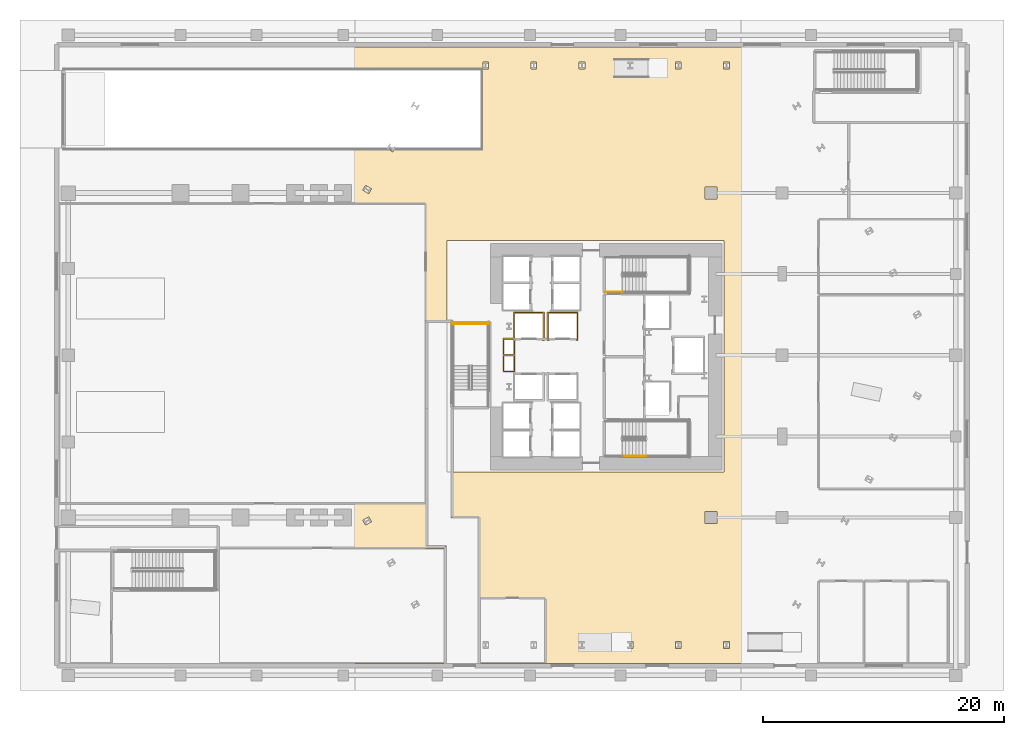
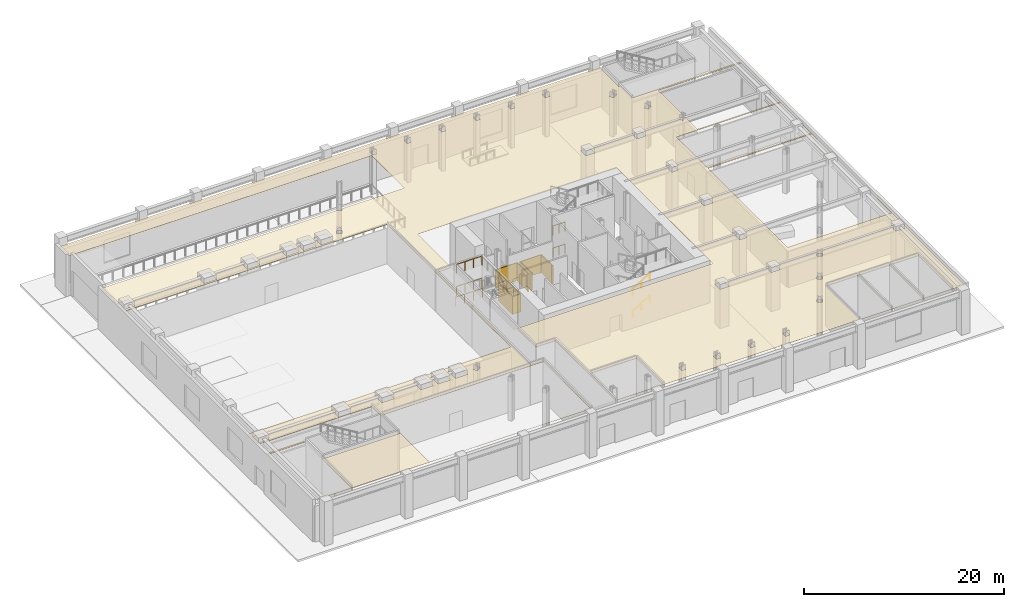
# One storey, part 12 of 18: 7 railings, 3 coverings.
"""IFC4 building model written with IfcOpenShell, lengths in metres."""

from ifc_helpers import new_model, si_unit, direction, frame, origin, origin_2d, place, context, subcontext, project, spatial, polyline, circle, outline, extrude, material, layer, layer_set, type_object, element, save


model = new_model("IFC4")

# Units and contexts
model_context = context("Model", 3, precision=1e-05, world=origin(), true_north=direction((0.0, 1.0)))
body_context = subcontext(model_context, "Body", "Model", "MODEL_VIEW")
ifc_project = project(units=[si_unit("LENGTHUNIT", "METRE"), si_unit("AREAUNIT", "SQUARE_METRE"), si_unit("VOLUMEUNIT", "CUBIC_METRE"), si_unit("PLANEANGLEUNIT", "RADIAN"), si_unit("MASSUNIT", "GRAM", prefix="KILO")], contexts=[model_context])

# Site, building, storey
site_placement = place(None, origin())
site = spatial("IfcSite", under=ifc_project, at=site_placement, CompositionType="ELEMENT")
building_placement = place(site_placement, origin())
building = spatial("IfcBuilding", under=site, at=building_placement, Name="Valkerne Bourse Tower", CompositionType="ELEMENT")
storey_placement = place(building_placement, origin())
storey = spatial("IfcBuildingStorey", under=building, at=storey_placement, Name="L00", CompositionType="ELEMENT", Elevation=0.0)

# Coverings
ifc_material_1 = material(Name="Bronze Anodised Aluminium AA 6063-T6", Category="aluminium")
ifc_layer_1 = layer(ifc_material_1, 0.030029296875)
ifc_layer_set_1 = layer_set([ifc_layer_1], Name="Bronze Anodised Aluminium AA 6063-T6")
covering_type_1 = type_object("IfcCoveringType", Name="COV-CEIL-METAL", PredefinedType="CEILING", material=ifc_layer_set_1)
covering_1_placement = place(storey_placement, frame((0.0, 0.0, 4.81005859375)))
element("IfcCovering", 1, at=covering_1_placement, inside=storey, type_object=covering_type_1, Name="L00 Suspended Ceiling 14", PredefinedType="CEILING", context=body_context, shape_type="SweptSolid", body=[
    extrude(outline(polyline([(64.0859375, 46.377197265625), (64.098388671875, 46.365966796875), (76.5458984375, 46.365966796875), (76.5458984375, 1.4541015625), (36.214111328125, 1.4541015625), (36.214111328125, 13.502685546875), (36.201416015625, 13.513916015625), (33.97412109375, 13.513916015625), (33.97412109375, 17.300048828125), (56.60009765625, 17.300048828125), (56.60009765625, 36.5), (33.60009765625, 36.5), (33.60009765625, 29.76318359375), (32.0078125, 29.759521484375), (32.006103515625, 11.197265625), (32.0185546875, 11.18603515625), (33.535888671875, 11.18603515625), (33.535888671875, 1.4541015625), (1.4541015625, 1.4541015625), (1.4541015625, 10.906005859375), (5.699951171875, 10.906005859375), (5.699951171875, 10.714111328125), (1.490478515625, 10.71240234375), (1.48681640625, 1.493896484375), (1.498779296875, 1.486083984375), (5.7060546875, 1.48681640625), (5.714111328125, 1.498779296875), (5.71337890625, 7.300048828125), (14.699951171875, 7.300048828125), (14.699951171875, 11.10009765625), (14.56396484375, 11.10009765625), (14.56396484375, 12.72119140625), (14.555908203125, 12.733154296875), (1.4541015625, 12.73388671875), (1.4541015625, 44.14599609375), (28.627685546875, 44.14599609375), (29.11865234375, 43.862548828125), (29.282470703125, 44.14599609375), (36.4541015625, 44.14599609375), (36.4541015625, 50.654052734375), (1.4541015625, 50.654052734375), (1.4541015625, 52.5458984375), (72.76611328125, 52.5458984375), (72.76611328125, 52.5), (63.89990234375, 52.5), (63.89990234375, 48.699951171875), (64.0859375, 48.699951171875), (64.0859375, 46.377197265625)]), holes=[polyline([(76.507080078125, 32.087158203125), (76.513916015625, 32.098876953125), (76.5126953125, 38.20703125), (76.501220703125, 38.214111328125), (64.492919921875, 38.212890625), (64.486083984375, 38.201171875), (64.490478515625, 32.087646484375), (76.507080078125, 32.087158203125)]), polyline([(66.98974609375, 38.38818359375), (76.51171875, 38.3896484375), (76.51025390625, 46.16162109375), (66.99853515625, 46.1640625), (66.986083984375, 46.15380859375), (66.98974609375, 38.38818359375)]), polyline([(76.51171875, 15.98974609375), (76.51025390625, 31.91162109375), (64.48828125, 31.910400390625), (64.48779296875, 15.990478515625), (76.51171875, 15.98974609375)]), polyline([(71.90869140625, 1.486083984375), (75.10107421875, 1.486083984375), (75.11279296875, 1.492919921875), (75.114013671875, 8.201171875), (75.10693359375, 8.212890625), (71.908935546875, 8.214111328125), (71.897216796875, 8.20703125), (71.896484375, 1.4951171875), (71.90869140625, 1.486083984375)]), polyline([(68.247314453125, 1.492919921875), (68.2587890625, 1.486083984375), (71.757080078125, 1.4873046875), (71.763916015625, 1.498779296875), (71.7626953125, 8.20703125), (71.751220703125, 8.214111328125), (68.25830078125, 8.214111328125), (68.24609375, 8.20166015625), (68.247314453125, 1.492919921875)]), polyline([(64.4873046875, 1.492919921875), (64.498779296875, 1.486083984375), (68.10693359375, 1.4873046875), (68.114013671875, 1.498779296875), (68.11279296875, 8.20703125), (68.10107421875, 8.214111328125), (64.49853515625, 8.214111328125), (64.486083984375, 8.202880859375), (64.4873046875, 1.492919921875)]), polyline([(36.388916015625, 1.489013671875), (41.731201171875, 1.489013671875), (41.731201171875, 6.81103515625), (36.398681640625, 6.81396484375), (36.38623046875, 6.8037109375), (36.388916015625, 1.489013671875)]), polyline([(14.736083984375, 1.498779296875), (14.742919921875, 1.4873046875), (33.35107421875, 1.486083984375), (33.36279296875, 1.492919921875), (33.364013671875, 10.951171875), (33.35693359375, 10.962890625), (14.73974609375, 10.961669921875), (14.736083984375, 1.498779296875)]), polyline([(1.486083984375, 39.501220703125), (1.48974609375, 14.788330078125), (31.811767578125, 14.789794921875), (31.810302734375, 39.51171875), (1.4951171875, 39.513671875), (1.486083984375, 39.501220703125)]), polyline([(27.12060546875, 13.59814453125), (26.62109375, 13.309814453125), (26.852294921875, 12.908935546875), (27.35205078125, 13.197509765625), (27.12060546875, 13.59814453125)]), polyline([(2.803955078125, 14.154052734375), (1.595947265625, 14.154052734375), (1.595947265625, 12.946044921875), (2.803955078125, 12.946044921875), (2.803955078125, 14.154052734375)]), polyline([(24.283935546875, 14.25390625), (24.283935546875, 12.845947265625), (25.69189453125, 12.845947265625), (25.69189453125, 14.25390625), (24.283935546875, 14.25390625)]), polyline([(23.695068359375, 14.25390625), (22.287109375, 14.25390625), (22.287109375, 12.845947265625), (23.695068359375, 12.845947265625), (23.695068359375, 14.25390625)]), polyline([(21.696044921875, 14.25390625), (20.2880859375, 14.25390625), (20.2880859375, 12.845947265625), (21.696044921875, 12.845947265625), (21.696044921875, 14.25390625)]), polyline([(10.7958984375, 14.25390625), (10.7958984375, 12.845947265625), (12.2041015625, 12.845947265625), (12.2041015625, 14.25390625), (10.7958984375, 14.25390625)]), polyline([(15.7958984375, 14.25390625), (15.7958984375, 12.845947265625), (17.2041015625, 12.845947265625), (17.2041015625, 14.25390625), (15.7958984375, 14.25390625)]), polyline([(17.2041015625, 41.154052734375), (15.7958984375, 41.154052734375), (15.7958984375, 39.74609375), (17.2041015625, 39.74609375), (17.2041015625, 41.154052734375)]), polyline([(10.7958984375, 41.154052734375), (10.7958984375, 39.74609375), (12.2041015625, 39.74609375), (12.2041015625, 41.154052734375), (10.7958984375, 41.154052734375)]), polyline([(21.696044921875, 41.154052734375), (20.2880859375, 41.154052734375), (20.2880859375, 39.74609375), (21.696044921875, 39.74609375), (21.696044921875, 41.154052734375)]), polyline([(23.695068359375, 41.154052734375), (22.287109375, 41.154052734375), (22.287109375, 39.74609375), (23.695068359375, 39.74609375), (23.695068359375, 41.154052734375)]), polyline([(24.283935546875, 41.154052734375), (24.283935546875, 39.74609375), (25.69189453125, 39.74609375), (25.69189453125, 41.154052734375), (24.283935546875, 41.154052734375)]), polyline([(1.595947265625, 41.053955078125), (1.595947265625, 39.845947265625), (2.803955078125, 39.845947265625), (2.803955078125, 41.053955078125), (1.595947265625, 41.053955078125)]), polyline([(26.62109375, 40.690185546875), (27.12060546875, 40.40185546875), (27.35205078125, 40.802490234375), (26.852294921875, 41.091064453125), (26.62109375, 40.690185546875)]), polyline([(48.566650390625, 3.25634765625), (48.566650390625, 2.67919921875), (49.029296875, 2.67919921875), (49.029296875, 3.25634765625), (48.566650390625, 3.25634765625)]), polyline([(52.5625, 3.25634765625), (52.5625, 2.67919921875), (53.025390625, 2.67919921875), (53.025390625, 3.25634765625), (52.5625, 3.25634765625)]), polyline([(45.033203125, 3.25634765625), (44.57080078125, 3.25634765625), (44.57080078125, 2.67919921875), (45.033203125, 2.67919921875), (45.033203125, 3.25634765625)]), polyline([(56.00390625, 14.053955078125), (54.99609375, 14.053955078125), (54.99609375, 13.0458984375), (56.00390625, 13.0458984375), (56.00390625, 14.053955078125)]), polyline([(56.00390625, 40.9541015625), (54.99609375, 40.9541015625), (54.99609375, 39.946044921875), (56.00390625, 39.946044921875), (56.00390625, 40.9541015625)]), polyline([(57.021240234375, 51.32080078125), (56.55859375, 51.32080078125), (56.55859375, 50.74365234375), (57.021240234375, 50.74365234375), (57.021240234375, 51.32080078125)]), polyline([(53.025390625, 51.32080078125), (52.5625, 51.32080078125), (52.5625, 50.74365234375), (53.025390625, 50.74365234375), (53.025390625, 51.32080078125)]), polyline([(48.566650390625, 51.32080078125), (48.566650390625, 50.74365234375), (49.029296875, 50.74365234375), (49.029296875, 51.32080078125), (48.566650390625, 51.32080078125)]), polyline([(45.033203125, 51.32080078125), (44.57080078125, 51.32080078125), (44.57080078125, 50.74365234375), (45.033203125, 50.74365234375), (45.033203125, 51.32080078125)]), polyline([(41.037353515625, 51.32080078125), (40.57470703125, 51.32080078125), (40.57470703125, 50.74365234375), (41.037353515625, 50.74365234375), (41.037353515625, 51.32080078125)]), polyline([(36.57861328125, 51.32080078125), (36.57861328125, 50.74365234375), (37.04150390625, 50.74365234375), (37.04150390625, 51.32080078125), (36.57861328125, 51.32080078125)]), polyline([(57.021240234375, 3.25634765625), (56.55859375, 3.25634765625), (56.55859375, 2.67919921875), (57.021240234375, 2.67919921875), (57.021240234375, 3.25634765625)]), polyline([(62.251953125, 6.276123046875), (62.751708984375, 5.98779296875), (62.98291015625, 6.388427734375), (62.4833984375, 6.677001953125), (62.251953125, 6.276123046875)]), polyline([(64.481201171875, 10.137451171875), (64.25, 9.73681640625), (64.749755859375, 9.4482421875), (64.98095703125, 9.84912109375), (64.481201171875, 10.137451171875)]), polyline([(66.479248046875, 13.59814453125), (66.248046875, 13.197509765625), (66.747802734375, 12.908935546875), (66.97900390625, 13.309814453125), (66.479248046875, 13.59814453125)]), polyline([(60.89599609375, 14.053955078125), (60.89599609375, 13.0458984375), (61.904052734375, 13.0458984375), (61.904052734375, 14.053955078125), (60.89599609375, 14.053955078125)]), polyline([(75.2958984375, 14.053955078125), (75.2958984375, 13.0458984375), (76.303955078125, 13.0458984375), (76.303955078125, 14.053955078125), (75.2958984375, 14.053955078125)]), polyline([(60.99609375, 20.9541015625), (60.99609375, 19.5458984375), (61.803955078125, 19.5458984375), (61.803955078125, 20.9541015625), (60.99609375, 20.9541015625)]), polyline([(60.89599609375, 27.50390625), (60.89599609375, 26.49609375), (61.904052734375, 26.49609375), (61.904052734375, 27.50390625), (60.89599609375, 27.50390625)]), polyline([(61.0458984375, 34.35400390625), (61.0458984375, 33.14599609375), (61.75390625, 33.14599609375), (61.75390625, 34.35400390625), (61.0458984375, 34.35400390625)]), polyline([(61.904052734375, 40.9541015625), (60.89599609375, 40.9541015625), (60.89599609375, 39.946044921875), (61.904052734375, 39.946044921875), (61.904052734375, 40.9541015625)]), polyline([(66.248046875, 40.802490234375), (66.479248046875, 40.40185546875), (66.97900390625, 40.690185546875), (66.747802734375, 41.091064453125), (66.248046875, 40.802490234375)]), polyline([(64.749755859375, 44.5517578125), (64.25, 44.26318359375), (64.481201171875, 43.862548828125), (64.98095703125, 44.15087890625), (64.749755859375, 44.5517578125)]), polyline([(62.751708984375, 48.01220703125), (62.251953125, 47.723876953125), (62.4833984375, 47.322998046875), (62.98291015625, 47.611572265625), (62.751708984375, 48.01220703125)])]), origin(), (0.0, 0.0, 1.0), 0.02490234375),
])
ifc_material_2 = material(Name="Gypsum Shaftwall Liner Board", Category="gypsum")
ifc_layer_2 = layer(ifc_material_2, 0.080078125)
ifc_layer_set_2 = layer_set([ifc_layer_2], Name="Gypsum Shaftwall Liner Board")
covering_type_2 = type_object("IfcCoveringType", Name="COV-SHF-CLAD", PredefinedType="CLADDING", material=ifc_layer_set_2)
covering_2_placement = place(storey_placement, origin())
element("IfcCovering", 2, at=covering_2_placement, inside=storey, type_object=covering_type_2, Name="L00 Hoistway & Riser Shaftwall Liner 04", PredefinedType="CLADDING", context=body_context, shape_type="SweptSolid", body=[
    extrude(outline(polyline([(38.239990234375, 28.409912109375), (39.1201171875, 28.409912109375), (39.1201171875, 30.580078125), (41.679931640625, 30.580078125), (41.679931640625, 28.219970703125), (41.500732421875, 28.219970703125), (41.511474609375, 28.26220703125), (41.517822265625, 28.305908203125), (41.51806640625, 28.31005859375), (41.590087890625, 28.31005859375), (41.590087890625, 30.489990234375), (39.2099609375, 30.489990234375), (39.2099609375, 28.409912109375), (39.239990234375, 28.409912109375), (39.239990234375, 28.31005859375), (39.281982421875, 28.31005859375), (39.2822265625, 28.305908203125), (39.28857421875, 28.26220703125), (39.29931640625, 28.219970703125), (39.239990234375, 28.219970703125), (39.239990234375, 27.0400390625), (39.239990234375, 26.9599609375), (39.239990234375, 25.590087890625), (38.239990234375, 25.590087890625), (38.239990234375, 26.9599609375), (38.239990234375, 27.0400390625), (38.239990234375, 28.409912109375)]), holes=[polyline([(38.330078125, 26.949951171875), (38.330078125, 25.679931640625), (39.14990234375, 25.679931640625), (39.14990234375, 26.949951171875), (38.330078125, 26.949951171875)]), polyline([(39.1201171875, 28.219970703125), (39.1201171875, 28.320068359375), (38.330078125, 28.320068359375), (38.330078125, 27.050048828125), (39.14990234375, 27.050048828125), (39.14990234375, 28.219970703125), (39.1201171875, 28.219970703125)])]), origin(), (0.0, 0.0, 1.0), 2.179931640625),
])
covering_3_placement = place(storey_placement, origin())
element("IfcCovering", 3, at=covering_3_placement, inside=storey, type_object=covering_type_2, Name="L00 Hoistway & Riser Shaftwall Liner 09", PredefinedType="CLADDING", context=body_context, shape_type="SweptSolid", body=[
    extrude(outline(polyline([(44.47998046875, 28.219970703125), (44.30078125, 28.219970703125), (44.311279296875, 28.26220703125), (44.31787109375, 28.305908203125), (44.318115234375, 28.31005859375), (44.389892578125, 28.31005859375), (44.389892578125, 30.489990234375), (42.010009765625, 30.489990234375), (42.010009765625, 28.31005859375), (42.08203125, 28.31005859375), (42.082275390625, 28.305908203125), (42.088623046875, 28.26220703125), (42.09912109375, 28.219970703125), (41.919921875, 28.219970703125), (41.919921875, 30.580078125), (44.47998046875, 30.580078125), (44.47998046875, 28.219970703125)])), origin(), (0.0, 0.0, 1.0), 2.179931640625),
])

# Railings
ifc_material_3 = material(Name="Galvanised Painted Steel", Category="steel")
railing_type_1 = type_object("IfcRailingType", Name="RLG-ST-GUARD-1120", PredefinedType="GUARDRAIL", material=ifc_material_3)
for number, where, name in (
    (4, (46.75, 32.25, 2.699951171875), "L00 ST-2 stair guard 8"),
    (5, (46.75, 32.25, 0.0), "L00 ST-2 stair guard 17"),
):
    element("IfcRailing", number, at=place(storey_placement, frame(where)), inside=storey, type_object=railing_type_1, Name=name, PredefinedType="GUARDRAIL", context=body_context, shape_type="SweptSolid", body=[
        extrude(circle(Radius=0.02392578125, at=origin_2d()), frame((0.0, 0.0, 1.09619140625), z_axis=(1.0, 0.0, 0.0), x_axis=(0.0, 1.0, 0.0)), (0.0, 0.0, 1.0), 1.39990234375),
        extrude(circle(Radius=0.02099609375, at=origin_2d()), origin(), (0.0, 0.0, 1.0), 1.072021484375),
        extrude(circle(Radius=0.02099609375, at=origin_2d()), frame((0.699951171875, 0.0, 0.0)), (0.0, 0.0, 1.0), 1.072021484375),
        extrude(circle(Radius=0.02099609375, at=origin_2d()), frame((1.39990234375, 0.0, 0.0)), (0.0, 0.0, 1.0), 1.072021484375),
    ])
for number, where, name in (
    (6, (37.050048828125, 29.60009765625, 1.35009765625), "L00 ST-3 stair guard 5"),
    (7, (37.050048828125, 29.60009765625, 4.050048828125), "L00 ST-3 stair guard 14"),
):
    element("IfcRailing", number, at=place(storey_placement, frame(where)), inside=storey, type_object=railing_type_1, Name=name, PredefinedType="GUARDRAIL", context=body_context, shape_type="SweptSolid", body=[
        extrude(circle(Radius=0.02392578125, at=origin_2d()), frame((0.0, 0.0, 1.09619140625), z_axis=(-1.0, 0.0, 0.0), x_axis=(0.0, -1.0, 0.0)), (0.0, 0.0, 1.0), 2.949951171875),
        extrude(circle(Radius=0.02099609375, at=origin_2d()), origin(), (0.0, 0.0, 1.0), 1.072021484375),
        extrude(circle(Radius=0.02099609375, at=origin_2d()), frame((-0.9833984375, 0.0, 0.0)), (0.0, 0.0, 1.0), 1.072021484375),
        extrude(circle(Radius=0.02099609375, at=origin_2d()), frame((-1.966552734375, 0.0, 0.0)), (0.0, 0.0, 1.0), 1.072021484375),
        extrude(circle(Radius=0.02099609375, at=origin_2d()), frame((-2.949951171875, 0.0, 0.0)), (0.0, 0.0, 1.0), 1.072021484375),
    ])
railing_1_placement = place(storey_placement, frame((37.14990234375, 29.699951171875, 0.0)))
element("IfcRailing", 8, at=railing_1_placement, inside=storey, type_object=railing_type_1, Name="L00 ST-3 stair guard 21", PredefinedType="GUARDRAIL", context=body_context, shape_type="SweptSolid", body=[
    extrude(circle(Radius=0.02392578125, at=origin_2d()), frame((0.0, 0.0, 1.09619140625), z_axis=(-1.0, 0.0, 0.0), x_axis=(0.0, -1.0, 0.0)), (0.0, 0.0, 1.0), 3.14990234375),
    extrude(circle(Radius=0.02099609375, at=origin_2d()), origin(), (0.0, 0.0, 1.0), 1.072021484375),
    extrude(circle(Radius=0.02099609375, at=origin_2d()), frame((-1.050048828125, 0.0, 0.0)), (0.0, 0.0, 1.0), 1.072021484375),
    extrude(circle(Radius=0.02099609375, at=origin_2d()), frame((-2.099853515625, 0.0, 0.0)), (0.0, 0.0, 1.0), 1.072021484375),
    extrude(circle(Radius=0.02099609375, at=origin_2d()), frame((-3.14990234375, 0.0, 0.0)), (0.0, 0.0, 1.0), 1.072021484375),
])
ifc_material_4 = material(Name="Stainless Steel AISI 316", Category="steel")
railing_type_2 = type_object("IfcRailingType", Name="RLG-ST-HANDRAIL-900", PredefinedType="HANDRAIL", material=ifc_material_4)
railing_2_placement = place(storey_placement, frame((48.14990234375, 18.64990234375, 0.33740234375)))
element("IfcRailing", 9, at=railing_2_placement, inside=storey, type_object=railing_type_2, Name="L00 ST-1 stair handrail 1", PredefinedType="HANDRAIL", context=body_context, shape_type="SweptSolid", body=[
    extrude(circle(Radius=0.02392578125, at=origin_2d()), frame((0.0, 0.0, 0.8759765625), z_axis=(0.856474724393, 0.0, 0.516188963923), x_axis=(0.0, 1.0, 0.0)), (0.0, 0.0, 1.0), 2.28857421875),
    extrude(circle(Radius=0.02099609375, at=origin_2d()), origin(), (0.0, 0.0, 1.0), 0.851806640625),
    extrude(circle(Radius=0.02099609375, at=origin_2d()), frame((0.97998046875, 0.0, 0.5908203125)), (0.0, 0.0, 1.0), 0.851806640625),
    extrude(circle(Radius=0.02099609375, at=origin_2d()), frame((1.960205078125, 0.0, 1.181396484375)), (0.0, 0.0, 1.0), 0.851806640625),
])
railing_3_placement = place(storey_placement, frame((48.14990234375, 18.64990234375, 3.03759765625)))
element("IfcRailing", 10, at=railing_3_placement, inside=storey, type_object=railing_type_2, Name="L00 ST-1 stair handrail 3", PredefinedType="HANDRAIL", context=body_context, shape_type="SweptSolid", body=[
    extrude(circle(Radius=0.02392578125, at=origin_2d()), frame((0.0, 0.0, 0.8759765625), z_axis=(0.856521883693, 0.0, 0.516110707847), x_axis=(0.0, 1.0, 0.0)), (0.0, 0.0, 1.0), 2.28857421875),
    extrude(circle(Radius=0.02099609375, at=origin_2d()), origin(), (0.0, 0.0, 1.0), 0.851806640625),
    extrude(circle(Radius=0.02099609375, at=origin_2d()), frame((0.97998046875, 0.0, 0.590576171875)), (0.0, 0.0, 1.0), 0.851806640625),
    extrude(circle(Radius=0.02099609375, at=origin_2d()), frame((1.960205078125, 0.0, 1.18115234375)), (0.0, 0.0, 1.0), 0.851806640625),
])

save(model, "model.ifc")
